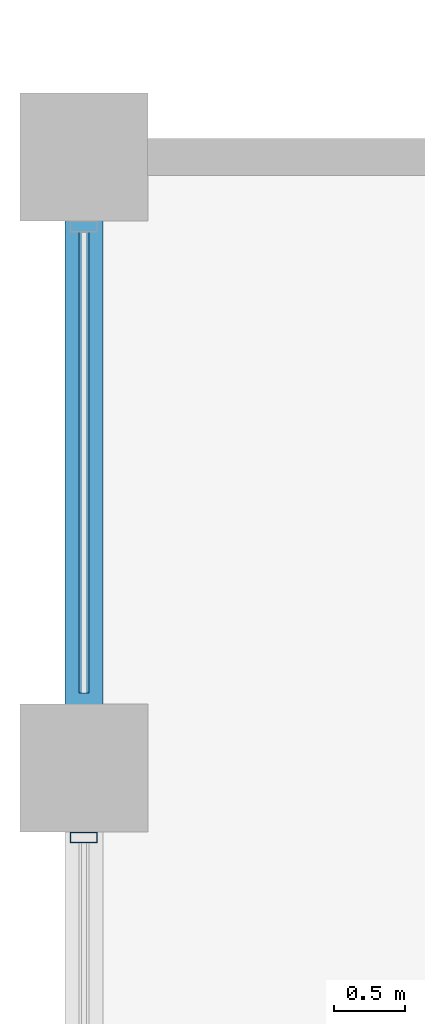
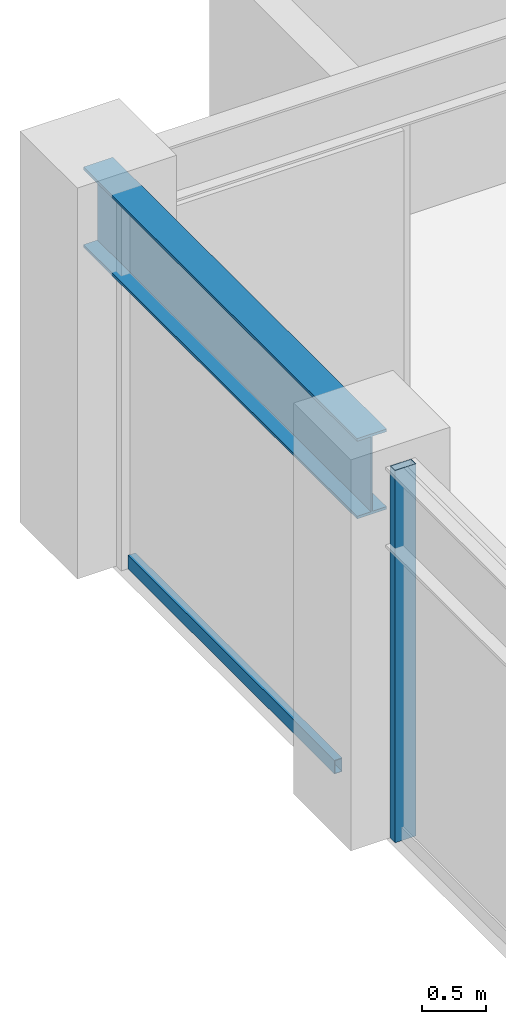
# One storey, part 16 of 32: 2 members, 1 beam, 1 element without a shape of its own.
"""IFC4 building model written with IfcOpenShell, lengths in metres."""

from ifc_helpers import new_model, si_unit, direction, frame, origin, origin_2d, place, context, subcontext, project, spatial, hollow_rectangle, i_section, extrude, material, layer, layer_set, material_profile, profile_set, type_object, element, aggregate, save


model = new_model("IFC4")

# Units and contexts
model_context = context("Model", 3, precision=1e-05, world=origin(), true_north=direction((0.0, 1.0)))
body_context = subcontext(model_context, "Body", "Model", "MODEL_VIEW")
ifc_project = project(units=[si_unit("LENGTHUNIT", "METRE"), si_unit("AREAUNIT", "SQUARE_METRE"), si_unit("VOLUMEUNIT", "CUBIC_METRE"), si_unit("PLANEANGLEUNIT", "RADIAN"), si_unit("MASSUNIT", "GRAM", prefix="KILO")], contexts=[model_context])

# Site, building, storey
site_placement = place(None, origin())
site = spatial("IfcSite", under=ifc_project, at=site_placement, CompositionType="ELEMENT")
building_placement = place(site_placement, origin())
building = spatial("IfcBuilding", under=site, at=building_placement, Name="Surkhivell Harbour Commons", CompositionType="ELEMENT")
storey_placement = place(building_placement, frame((0.0, 0.0, 208.5)))
storey = spatial("IfcBuildingStorey", under=building, at=storey_placement, Name="L54", CompositionType="ELEMENT", Elevation=208.5)

# Beam
ifc_material_1 = material(Name="Steel S355", Category="steel")
ifc_material_profile_1 = material_profile(ifc_material_1, i_section(OverallWidth=0.26806640625, OverallDepth=0.77001953125, WebThickness=0.015625, FlangeThickness=0.025390625, at=origin_2d()), Name="UB762x267x197")
ifc_profile_set_1 = profile_set([ifc_material_profile_1], Name="Steel S355")
beam_type = type_object("IfcBeamType", Name="BM-SPN-762", PredefinedType="SPANDREL", material=ifc_profile_set_1)
beam_placement = place(storey_placement, frame((-27.0, 16.199951171875, 3.18505859375), z_axis=(0.0, 1.0, 0.0), x_axis=(-1.0, 0.0, 0.0)))
element("IfcBeam", 1, at=beam_placement, inside=storey, type_object=beam_type, Name="L54 Tube Spandrel (-27.0,16.2)", PredefinedType="SPANDREL", context=body_context, shape_type="SweptSolid", body=[
    extrude(i_section(OverallWidth=0.26806640625, OverallDepth=0.77001953125, WebThickness=0.015625, FlangeThickness=0.025390625, at=origin_2d()), origin(), (0.0, 0.0, 1.0), 4.300048828125),
])

# Curtain wall, members
ifc_material_2 = material(Name="Anodised pale-metal aluminium and insulated glazing", Category="aluminium")
ifc_layer = layer(ifc_material_2, 0.18994140625)
ifc_layer_set = layer_set([ifc_layer], Name="Anodised pale-metal aluminium and insulated glazing")
curtain_wall_type = type_object("IfcCurtainWallType", Name="CW-SYS-Z3", PredefinedType="NOTDEFINED", material=ifc_layer_set)
curtain_wall_placement = place(storey_placement, origin())
curtain_wall = element("IfcCurtainWall", 2, at=curtain_wall_placement, inside=storey, type_object=curtain_wall_type, Name="L54 Curtain Wall CW-L54-E12S1", PredefinedType="NOTDEFINED")
ifc_material_3 = material(Name="Anodised pale-metal aluminium alloy 6063-T6", Category="aluminium")
ifc_material_profile_2 = material_profile(ifc_material_3, hollow_rectangle(XDim=0.074951171875, YDim=0.18994140625, WallThickness=0.00390625, at=origin_2d()), Name="ALU-MULL-75x190")
ifc_profile_set_2 = profile_set([ifc_material_profile_2], Name="Anodised pale-metal aluminium alloy 6063-T6")
member_type_1 = type_object("IfcMemberType", Name="CWM-190", PredefinedType="MULLION", material=ifc_profile_set_2)
member_1_placement = place(storey_placement, frame((-27.0, 15.71044921875, 0.0), z_axis=(0.0, 0.0, 1.0), x_axis=(0.0, -1.0, 0.0)))
member_1 = element("IfcMember", 3, at=member_1_placement, type_object=member_type_1, Name="CW-Z3 mullion 2", PredefinedType="MULLION", context=body_context, shape_type="SweptSolid", body=[
    extrude(hollow_rectangle(XDim=0.074951171875, YDim=0.18994140625, WallThickness=0.00390625, at=origin_2d()), origin(), (0.0, 0.0, 1.0), 3.570068359375),
])
ifc_material_4 = material(Name="Champagne anodised aluminium alloy 6063-T6", Category="aluminium")
ifc_material_profile_3 = material_profile(ifc_material_4, hollow_rectangle(XDim=0.070068359375, YDim=0.1298828125, WallThickness=0.00341796875, at=origin_2d()), Name="ALU-TRAN-70x130")
ifc_profile_set_3 = profile_set([ifc_material_profile_3], Name="Champagne anodised aluminium alloy 6063-T6")
member_type_2 = type_object("IfcMemberType", Name="CWT-130", PredefinedType="USERDEFINED", material=ifc_profile_set_3)
member_2_placement = place(storey_placement, frame((-27.0, 19.972900390625, 0.06494140625), z_axis=(0.0, -1.0, 0.0), x_axis=(1.0, 0.0, 0.0)))
member_2 = element("IfcMember", 4, at=member_2_placement, type_object=member_type_2, Name="CW-Z3 transom 1.1", ObjectType="TRANSOM", PredefinedType="USERDEFINED", context=body_context, shape_type="SweptSolid", body=[
    extrude(hollow_rectangle(XDim=0.070068359375, YDim=0.1298828125, WallThickness=0.00341796875, at=origin_2d()), origin(), (0.0, 0.0, 1.0), 3.245849609375),
])
aggregate(curtain_wall, [member_2, member_1])

save(model, "model.ifc")
